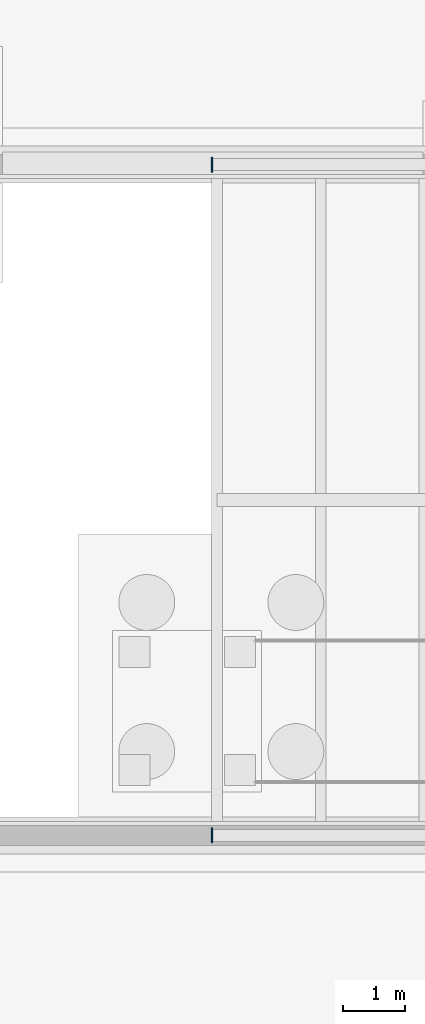
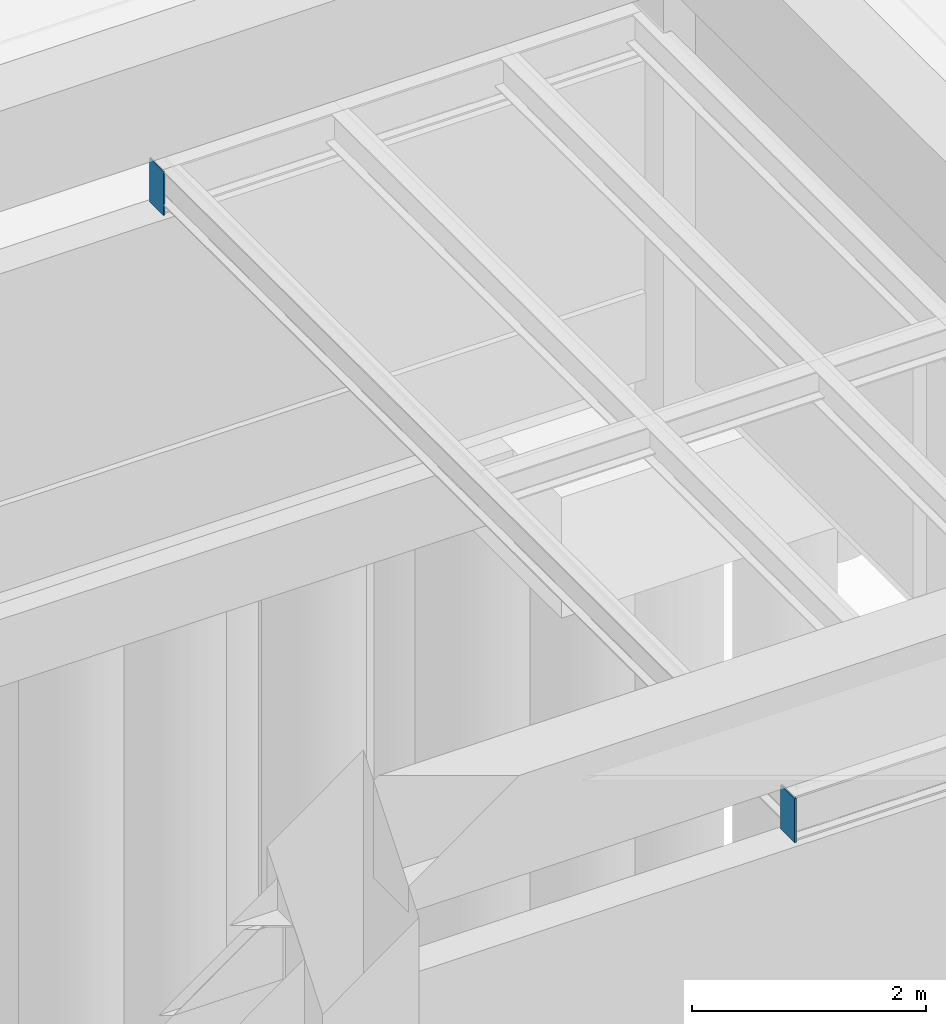
# One storey, part 25 of 74: 2 plates.
"""IFC4 building model written with IfcOpenShell, lengths in metres."""

from ifc_helpers import new_model, si_unit, direction, frame, origin, origin_2d, place, context, subcontext, project, spatial, rectangle, extrude, material, layer, layer_set, type_object, element, save


model = new_model("IFC4")

# Units and contexts
model_context = context("Model", 3, precision=1e-05, world=origin(), true_north=direction((0.0, 1.0)))
body_context = subcontext(model_context, "Body", "Model", "MODEL_VIEW")
ifc_project = project(units=[si_unit("LENGTHUNIT", "METRE"), si_unit("AREAUNIT", "SQUARE_METRE"), si_unit("VOLUMEUNIT", "CUBIC_METRE"), si_unit("PLANEANGLEUNIT", "RADIAN"), si_unit("MASSUNIT", "GRAM", prefix="KILO")], contexts=[model_context])

# Site, building, storey
site_placement = place(None, origin())
site = spatial("IfcSite", under=ifc_project, at=site_placement, CompositionType="ELEMENT")
building_placement = place(site_placement, origin())
building = spatial("IfcBuilding", under=site, at=building_placement, Name="Cendralis Terraced Arcade", CompositionType="ELEMENT")
storey_placement = place(building_placement, origin())
storey = spatial("IfcBuildingStorey", under=building, at=storey_placement, Name="L00", CompositionType="ELEMENT", Elevation=0.0)

# Plates
ifc_material = material(Name="Steel ASTM A572 Grade 50", Category="steel")
ifc_layer = layer(ifc_material, 0.01611328125, Name="PLT-CAP-340x240x16")
ifc_layer_set = layer_set([ifc_layer], Name="Steel ASTM A572 Grade 50")
plate_type = type_object("IfcPlateType", Name="PLT-CAP-340x240x16", PredefinedType="SHEET", material=ifc_layer_set)
for number, where, z_axis, x_axis, name in (
    (1, (14.0, 49.199951171875, 3.28857421875), (0.0, 0.0, 1.0), (1.0, 0.0, 0.0), "Canopy Rib End Cap Plate 1"),
    (2, (14.0, 60.0, 3.28857421875), (0.0, 0.0, 1.0), (1.0, 0.0, 0.0), "Canopy Rib End Cap Plate 2"),
):
    element("IfcPlate", number, at=place(storey_placement, frame(where, z_axis=z_axis, x_axis=x_axis)), inside=storey, type_object=plate_type, Name=name, PredefinedType="SHEET", context=body_context, shape_type="SweptSolid", body=[
        extrude(rectangle(XDim=0.01611328125, YDim=0.239990234375, at=origin_2d()), origin(), (0.0, 0.0, 1.0), 0.4599609375),
    ])

save(model, "model.ifc")
